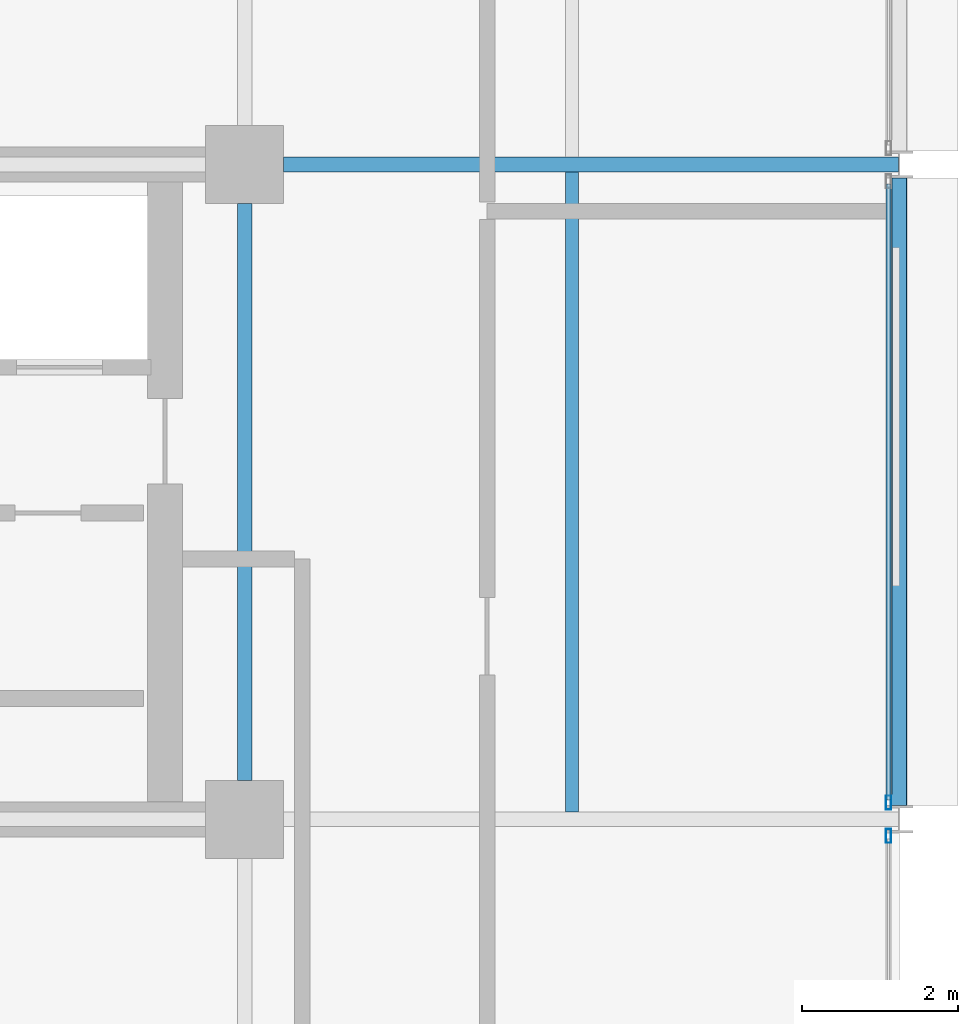
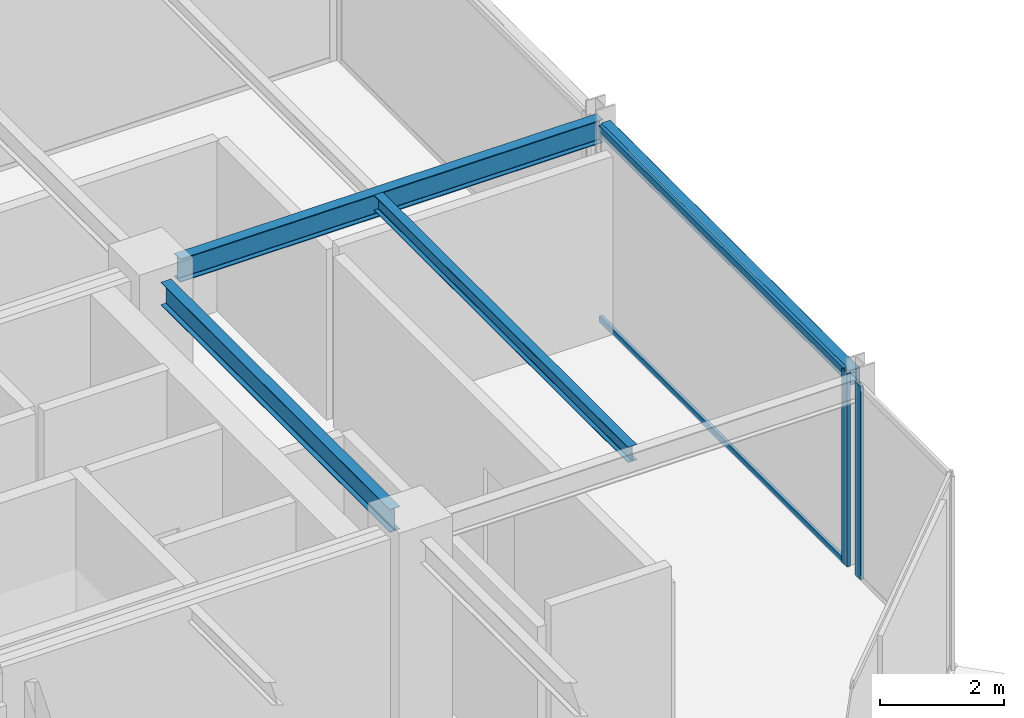
# One storey, part 14 of 26: 4 beams, 4 members, 2 elements without a shape of their own.
"""IFC4 building model written with IfcOpenShell, lengths in metres."""

import ifcopenshell
import ifcopenshell.guid

model = None  # the IFC model being written
_history = None  # IfcOwnerHistory: only IFC2X3 demands one
_inside = {}  # id of a spatial element -> (the spatial element, [elements in it])
_under = {}  # id of a project, library or spatial element -> (it, [spatial elements below it])
_declared = {}  # id of a project -> (the project, [libraries it declares])
_typed = {}  # id of a type object -> (the type object, [elements of that type])
_made_of = {}  # id of a material, layer set ... -> (it, [elements and type objects made of it])


def new_model(schema):
    """Start an empty IFC model of exactly this schema.

    Asked for "IFC4X3", IfcOpenShell would pick the latest addendum, in which some entities
    have other attributes; the version numbers below select the first issue.
    IFC2X3 requires an IfcOwnerHistory on every rooted entity: one is made here for all.
    """
    global model, _history
    if schema == "IFC4X3":
        model = ifcopenshell.file(schema_version=(4, 3, 0, 0))
    else:
        model = ifcopenshell.file(schema=schema)
    _inside.clear()
    _under.clear()
    _declared.clear()
    _typed.clear()
    _made_of.clear()
    _history = None
    if model.schema == "IFC2X3":
        org = make("IfcOrganization", Name="unknown")
        user = make(
            "IfcPersonAndOrganization",
            ThePerson=make("IfcPerson", FamilyName="unknown"),
            TheOrganization=org,
        )
        app = make(
            "IfcApplication",
            ApplicationDeveloper=org,
            Version="unknown",
            ApplicationFullName="unknown",
            ApplicationIdentifier="unknown",
        )
        _history = make(
            "IfcOwnerHistory",
            OwningUser=user,
            OwningApplication=app,
            ChangeAction="ADDED",
            CreationDate=0,
        )
    return model


def make(cls, **values):
    """One entity of the class cls with the attributes given. An attribute that is None is left unset."""
    return model.create_entity(
        cls, **{name: value for name, value in values.items() if value is not None}
    )


def rooted(cls, **values):
    """An entity with a GlobalId (a new one), such as an element, a storey or a relation."""
    return make(cls, GlobalId=ifcopenshell.guid.new(), OwnerHistory=_history, **values)


def si_unit(unit_type, name, prefix=None):
    """IfcSIUnit, for example si_unit("LENGTHUNIT", "METRE", prefix="MILLI")."""
    return make("IfcSIUnit", UnitType=unit_type, Prefix=prefix, Name=name)


def assignment(units):
    """IfcUnitAssignment: the units of a project."""
    return None if units is None else make("IfcUnitAssignment", Units=units)


def point(xyz):
    """IfcCartesianPoint."""
    return None if xyz is None else make("IfcCartesianPoint", Coordinates=xyz)


def direction(xyz):
    """IfcDirection."""
    return None if xyz is None else make("IfcDirection", DirectionRatios=xyz)


def frame(location, z_axis=None, x_axis=None):
    """IfcAxis2Placement3D, a coordinate frame: its origin and axes. An axis left out is left unset."""
    return make(
        "IfcAxis2Placement3D",
        Location=point(location),
        Axis=direction(z_axis),
        RefDirection=direction(x_axis),
    )


def frame_2d(location, x_axis=None):
    """IfcAxis2Placement2D, a coordinate frame in the plane: its origin and x axis."""
    return make(
        "IfcAxis2Placement2D", Location=point(location), RefDirection=direction(x_axis)
    )


def origin():
    """The frame at (0, 0, 0) with its axes left unset."""
    return frame((0.0, 0.0, 0.0))


def origin_2d():
    """The frame at (0, 0) in the plane with its x axis left unset."""
    return frame_2d((0.0, 0.0))


def place(relative_to, where):
    """IfcLocalPlacement: puts the frame where relative to a parent placement (None: the world)."""
    return make(
        "IfcLocalPlacement", PlacementRelTo=relative_to, RelativePlacement=where
    )


def context(
    kind, dimensions, precision=None, world=None, true_north=None, identifier=None
):
    """IfcGeometricRepresentationContext, for example the 3D "Model" context."""
    return make(
        "IfcGeometricRepresentationContext",
        ContextIdentifier=identifier,
        ContextType=kind,
        CoordinateSpaceDimension=dimensions,
        Precision=precision,
        WorldCoordinateSystem=world,
        TrueNorth=true_north,
    )


def subcontext(parent, identifier, kind, view, scale=None):
    """IfcGeometricRepresentationSubContext, for example "Body" below "Model"."""
    return make(
        "IfcGeometricRepresentationSubContext",
        ContextIdentifier=identifier,
        ContextType=kind,
        ParentContext=parent,
        TargetScale=scale,
        TargetView=view,
    )


def project(units=None, contexts=None):
    """IfcProject with its units and contexts."""
    return rooted(
        "IfcProject",
        Name="project",
        RepresentationContexts=contexts,
        UnitsInContext=assignment(units),
    )


def spatial(cls, under=None, at=None, **own):
    """A site, building, storey or space (cls), placed at a placement, below another one or the project."""
    s = rooted(cls, ObjectPlacement=at, **own)
    if under is not None:
        _under.setdefault(under.id(), (under, []))[1].append(s)
    return s


def profile(cls, at=None, kind="AREA", **sizes):
    """A parametric profile (cls). Its sizes go by their IFC names, for example OverallWidth=200.0."""
    return make(cls, ProfileType=kind, Position=at, **sizes)


def hollow_rectangle(**sizes):
    """IfcRectangleHollowProfileDef."""
    return profile("IfcRectangleHollowProfileDef", **sizes)


def i_section(**sizes):
    """IfcIShapeProfileDef."""
    return profile("IfcIShapeProfileDef", **sizes)


def extrude(swept, where, along, depth):
    """IfcExtrudedAreaSolid: the profile swept, set in the frame where, extruded along a direction by depth."""
    return make(
        "IfcExtrudedAreaSolid",
        SweptArea=swept,
        Position=where,
        ExtrudedDirection=direction(along),
        Depth=depth,
    )


def shape(context_of_items, identifier, shape_type, items):
    """IfcShapeRepresentation: the items that make up one representation, for example the "Body"."""
    return make(
        "IfcShapeRepresentation",
        ContextOfItems=context_of_items,
        RepresentationIdentifier=identifier,
        RepresentationType=shape_type,
        Items=items,
    )


def material(Name=None, Category=None):
    """IfcMaterial."""
    return make("IfcMaterial", Name=Name, Category=Category)


def layer(
    of_material, thickness, ventilated=None, Name=None, Category=None, Priority=None
):
    """IfcMaterialLayer: one layer of a wall or slab, of a material (None: an air gap)."""
    return make(
        "IfcMaterialLayer",
        Material=of_material,
        LayerThickness=thickness,
        IsVentilated=ventilated,
        Name=Name,
        Category=Category,
        Priority=Priority,
    )


def layer_set(layers, Name=None):
    """IfcMaterialLayerSet."""
    return make("IfcMaterialLayerSet", MaterialLayers=layers, LayerSetName=Name)


def material_profile(
    of_material, cross_section, Name=None, Category=None, Priority=None
):
    """IfcMaterialProfile: a cross section and its material."""
    return make(
        "IfcMaterialProfile",
        Name=Name,
        Material=of_material,
        Profile=cross_section,
        Priority=Priority,
        Category=Category,
    )


def profile_set(profiles, Name=None, composite=None):
    """IfcMaterialProfileSet."""
    return make(
        "IfcMaterialProfileSet",
        Name=Name,
        MaterialProfiles=profiles,
        CompositeProfile=composite,
    )


def made_of(thing, what):
    """Note that an element or type object is made of a material, layer set ...; save() writes the relation."""
    if what is not None:
        _made_of.setdefault(what.id(), (what, []))[1].append(thing)
    return thing


def type_object(cls, material=None, **own):
    """A type object (cls), such as IfcWallType, which elements share."""
    return made_of(rooted(cls, **own), material)


def element(
    cls,
    number,
    at=None,
    inside=None,
    cuts=None,
    type_object=None,
    material=None,
    context=None,
    identifier="Body",
    shape_type=None,
    held_by="IfcProductDefinitionShape",
    body=None,
    shapes=None,
    **own,
):
    """One element of the class cls, such as IfcWall. Its Tag is "e" and its number.

    at: its placement. inside: the storey or other place that contains it. cuts: it is an
    opening in that element (IfcRelVoidsElement). A single representation is given by context,
    identifier, shape_type and body (its items); several are given by shapes. held_by: the class
    of the entity that holds the representations. save() writes the other relations.
    """
    e = rooted(cls, Tag="e%d" % number, ObjectPlacement=at, **own)
    if body is not None:
        shapes = [shape(context, identifier, shape_type, body)]
    if shapes is not None:
        e.Representation = make(held_by, Representations=shapes)
    if inside is not None:
        _inside.setdefault(inside.id(), (inside, []))[1].append(e)
    if cuts is not None:
        rooted(
            "IfcRelVoidsElement", RelatingBuildingElement=cuts, RelatedOpeningElement=e
        )
    if type_object is not None:
        _typed.setdefault(type_object.id(), (type_object, []))[1].append(e)
    return made_of(e, material)


def aggregate(whole, parts):
    """IfcRelAggregates: a whole, such as a stair, and the parts it consists of."""
    return rooted("IfcRelAggregates", RelatingObject=whole, RelatedObjects=parts)


def save(model, path):
    """Write the relations noted so far, then the file.

    IfcRelAggregates (storeys below a building ...), IfcRelContainedInSpatialStructure (elements
    in a storey), IfcRelDefinesByType, IfcRelAssociatesMaterial and IfcRelDeclares: one each for
    every whole, place, type object, material and project.
    """
    for whole, parts in _under.values():
        aggregate(whole, parts)
    for where, things in _inside.values():
        rooted(
            "IfcRelContainedInSpatialStructure",
            RelatedElements=things,
            RelatingStructure=where,
        )
    for kind, things in _typed.values():
        rooted("IfcRelDefinesByType", RelatedObjects=things, RelatingType=kind)
    for what, things in _made_of.values():
        rooted("IfcRelAssociatesMaterial", RelatedObjects=things, RelatingMaterial=what)
    for by, libraries in _declared.values():
        rooted("IfcRelDeclares", RelatingContext=by, RelatedDefinitions=libraries)
    model.write(path)


model = new_model("IFC4")

# Units and contexts
model_context = context("Model", 3, precision=1e-05, world=origin(), true_north=direction((0.0, 1.0)))
body_context = subcontext(model_context, "Body", "Model", "MODEL_VIEW")
ifc_project = project(units=[si_unit("LENGTHUNIT", "METRE"), si_unit("AREAUNIT", "SQUARE_METRE"), si_unit("VOLUMEUNIT", "CUBIC_METRE"), si_unit("PLANEANGLEUNIT", "RADIAN"), si_unit("MASSUNIT", "GRAM", prefix="KILO")], contexts=[model_context])

# Site, building, storey
site_placement = place(None, origin())
site = spatial("IfcSite", under=ifc_project, at=site_placement, CompositionType="ELEMENT")
building_placement = place(site_placement, origin())
building = spatial("IfcBuilding", under=site, at=building_placement, Name="Nerrivon Quay Data Exchange", CompositionType="ELEMENT")
storey_placement = place(building_placement, frame((0.0, 0.0, 228.800048828125)))
storey = spatial("IfcBuildingStorey", under=building, at=storey_placement, Name="L54", CompositionType="ELEMENT", Elevation=228.800048828125)

# Beams
ifc_material_1 = material(Name="Steel Grade 350", Category="steel")
ifc_material_profile_1 = material_profile(ifc_material_1, i_section(OverallWidth=0.19091796875, OverallDepth=0.4599609375, WebThickness=0.010009765625, FlangeThickness=0.01611328125, FilletRadius=0.011474609375, at=origin_2d()), Name="460UB82.1")
ifc_profile_set_1 = profile_set([ifc_material_profile_1], Name="Steel Grade 350")
beam_type_1 = type_object("IfcBeamType", Name="BM-G5-460UB82", PredefinedType="BEAM", material=ifc_profile_set_1)
beam_1_placement = place(storey_placement, frame((34.10009765625, 16.800048828125, 3.594970703125), z_axis=(1.0, 0.0, 0.0), x_axis=(0.0, 1.0, 0.0)))
element("IfcBeam", 1, at=beam_1_placement, inside=storey, type_object=beam_type_1, Name="L54 EW Girder Y=16.8 (33.6..42.0)", PredefinedType="BEAM", context=body_context, shape_type="SweptSolid", body=[
    extrude(i_section(OverallWidth=0.19091796875, OverallDepth=0.4599609375, WebThickness=0.010009765625, FlangeThickness=0.01611328125, FilletRadius=0.011474609375, at=origin_2d()), origin(), (0.0, 0.0, 1.0), 7.889892578125),
])
ifc_material_profile_2 = material_profile(ifc_material_1, i_section(OverallWidth=0.18994140625, OverallDepth=0.4541015625, WebThickness=0.008544921875, FlangeThickness=0.0126953125, FilletRadius=0.011474609375, at=origin_2d()), Name="460UB67.1")
ifc_profile_set_2 = profile_set([ifc_material_profile_2], Name="Steel Grade 350")
beam_type_2 = type_object("IfcBeamType", Name="BM-G6-460UB67", PredefinedType="BEAM", material=ifc_profile_set_2)
beam_2_placement = place(storey_placement, frame((33.60009765625, 8.89990234375, 3.597900390625), z_axis=(0.0, 1.0, 0.0), x_axis=(-1.0, 0.0, 0.0)))
element("IfcBeam", 2, at=beam_2_placement, inside=storey, type_object=beam_type_2, Name="L54 NS Girder X=33.6 (8.4..16.8)", PredefinedType="BEAM", context=body_context, shape_type="SweptSolid", body=[
    extrude(i_section(OverallWidth=0.18994140625, OverallDepth=0.4541015625, WebThickness=0.008544921875, FlangeThickness=0.0126953125, FilletRadius=0.011474609375, at=origin_2d()), origin(), (0.0, 0.0, 1.0), 7.400146484375),
])
ifc_material_profile_3 = material_profile(ifc_material_1, i_section(OverallWidth=0.166015625, OverallDepth=0.306884765625, WebThickness=0.006591796875, FlangeThickness=0.01171875, FilletRadius=0.011474609375, at=origin_2d()), Name="310UB46.2")
ifc_profile_set_3 = profile_set([ifc_material_profile_3], Name="Steel Grade 350")
beam_type_3 = type_object("IfcBeamType", Name="BM-J5-310UB46", PredefinedType="JOIST", material=ifc_profile_set_3)
beam_3_placement = place(storey_placement, frame((37.800048828125, 8.49560546875, 3.67138671875), z_axis=(0.0, 1.0, 0.0), x_axis=(-1.0, 0.0, 0.0)))
element("IfcBeam", 3, at=beam_3_placement, inside=storey, type_object=beam_type_3, Name="L54 Secondary Joist X=37.8 (8.4..16.8)", PredefinedType="JOIST", context=body_context, shape_type="SweptSolid", body=[
    extrude(i_section(OverallWidth=0.166015625, OverallDepth=0.306884765625, WebThickness=0.006591796875, FlangeThickness=0.01171875, FilletRadius=0.011474609375, at=origin_2d()), origin(), (0.0, 0.0, 1.0), 8.208984375),
])
ifc_material_2 = material(Name="Steel Grade C350L0 (350 MPa)", Category="steel")
ifc_material_profile_4 = material_profile(ifc_material_2, hollow_rectangle(XDim=0.199951171875, YDim=0.300048828125, WallThickness=0.012451171875, InnerFilletRadius=0.018798828125, OuterFilletRadius=0.03125, at=origin_2d()), Name="300x200x12.5RHS")
ifc_profile_set_4 = profile_set([ifc_material_profile_4], Name="Steel Grade C350L0 (350 MPa)")
beam_type_4 = type_object("IfcBeamType", Name="BM-SP3-300x200RHS", PredefinedType="SPANDREL", material=ifc_profile_set_4)
beam_4_placement = place(storey_placement, frame((42.0, 8.574951171875, 3.675048828125), z_axis=(0.0, 1.0, 0.0), x_axis=(-1.0, 0.0, 0.0)))
element("IfcBeam", 4, at=beam_4_placement, inside=storey, type_object=beam_type_4, Name="L54 NS Girder X=42.0 (8.4..16.8)", PredefinedType="SPANDREL", context=body_context, shape_type="SweptSolid", body=[
    extrude(hollow_rectangle(XDim=0.199951171875, YDim=0.300048828125, WallThickness=0.012451171875, InnerFilletRadius=0.018798828125, OuterFilletRadius=0.03125, at=origin_2d()), origin(), (0.0, 0.0, 1.0), 8.050048828125),
])

# Curtain wall, member
ifc_material_3 = material(Name="Anodised aluminium 6063-T6", Category="aluminium")
ifc_layer = layer(ifc_material_3, 0.195068359375)
ifc_layer_set = layer_set([ifc_layer], Name="Anodised aluminium 6063-T6")
curtain_wall_type = type_object("IfcCurtainWallType", Name="CW-SYS-06", PredefinedType="NOTDEFINED", material=ifc_layer_set)
curtain_wall_1_placement = place(storey_placement, origin())
curtain_wall_1 = element("IfcCurtainWall", 5, at=curtain_wall_1_placement, inside=storey, type_object=curtain_wall_type, Name="L54 Unitised Curtain Wall 27", PredefinedType="NOTDEFINED")
ifc_material_profile_5 = material_profile(ifc_material_3, hollow_rectangle(XDim=0.06494140625, YDim=0.179931640625, WallThickness=0.00341796875, at=origin_2d()), Name="ALU-MULL-180x65")
ifc_profile_set_5 = profile_set([ifc_material_profile_5], Name="Anodised aluminium 6063-T6")
member_type_1 = type_object("IfcMemberType", Name="CWM-180x65", PredefinedType="MULLION", material=ifc_profile_set_5)
member_1_placement = place(storey_placement, frame((41.860107421875, 8.612548828125, 0.0), z_axis=(0.0, 0.0, 1.0), x_axis=(1.0, 0.0, 0.0)))
member_1 = element("IfcMember", 6, at=member_1_placement, type_object=member_type_1, Name="CW06 mullion 2", PredefinedType="MULLION", context=body_context, shape_type="SweptSolid", body=[
    extrude(hollow_rectangle(XDim=0.06494140625, YDim=0.179931640625, WallThickness=0.00341796875, at=origin_2d()), origin(), (0.0, 0.0, 1.0), 3.824951171875),
])

curtain_wall_2_placement = place(storey_placement, origin())
curtain_wall_2 = element("IfcCurtainWall", 7, at=curtain_wall_2_placement, inside=storey, type_object=curtain_wall_type, Name="L54 Unitised Curtain Wall 28", PredefinedType="NOTDEFINED")
member_2_placement = place(storey_placement, frame((41.860107421875, 8.1875, 0.0), z_axis=(0.0, 0.0, 1.0), x_axis=(1.0, 0.0, 0.0)))
member_2 = element("IfcMember", 8, at=member_2_placement, type_object=member_type_1, Name="CW06 mullion 1", PredefinedType="MULLION", context=body_context, shape_type="SweptSolid", body=[
    extrude(hollow_rectangle(XDim=0.06494140625, YDim=0.179931640625, WallThickness=0.00341796875, at=origin_2d()), origin(), (0.0, 0.0, 1.0), 3.824951171875),
])
aggregate(curtain_wall_2, [member_2])

# Member
ifc_material_profile_6 = material_profile(ifc_material_3, hollow_rectangle(XDim=0.06005859375, YDim=0.1201171875, WallThickness=0.003173828125, at=origin_2d()), Name="ALU-TRAN-120x60")
ifc_profile_set_6 = profile_set([ifc_material_profile_6], Name="Anodised aluminium 6063-T6")
member_type_2 = type_object("IfcMemberType", Name="CWT-120x60", PredefinedType="USERDEFINED", material=ifc_profile_set_6)
member_3_placement = place(storey_placement, frame((41.860107421875, 16.550048828125, 0.032470703125), z_axis=(0.0, -1.0, 0.0), x_axis=(1.0, 0.0, 0.0)))
member_3 = element("IfcMember", 9, at=member_3_placement, type_object=member_type_2, Name="CW06 transom 1.1", ObjectType="TRANSOM", PredefinedType="USERDEFINED", context=body_context, shape_type="SweptSolid", body=[
    extrude(hollow_rectangle(XDim=0.06005859375, YDim=0.1201171875, WallThickness=0.003173828125, at=origin_2d()), origin(), (0.0, 0.0, 1.0), 7.900146484375),
])

member_4_placement = place(storey_placement, frame((41.860107421875, 16.550048828125, 3.79248046875), z_axis=(0.0, -1.0, 0.0), x_axis=(1.0, 0.0, 0.0)))
member_4 = element("IfcMember", 10, at=member_4_placement, type_object=member_type_2, Name="CW06 transom 1.2", ObjectType="TRANSOM", PredefinedType="USERDEFINED", context=body_context, shape_type="SweptSolid", body=[
    extrude(hollow_rectangle(XDim=0.06005859375, YDim=0.1201171875, WallThickness=0.003173828125, at=origin_2d()), origin(), (0.0, 0.0, 1.0), 7.900146484375),
])

aggregate(curtain_wall_1, [member_1, member_3, member_4])

save(model, "model.ifc")
